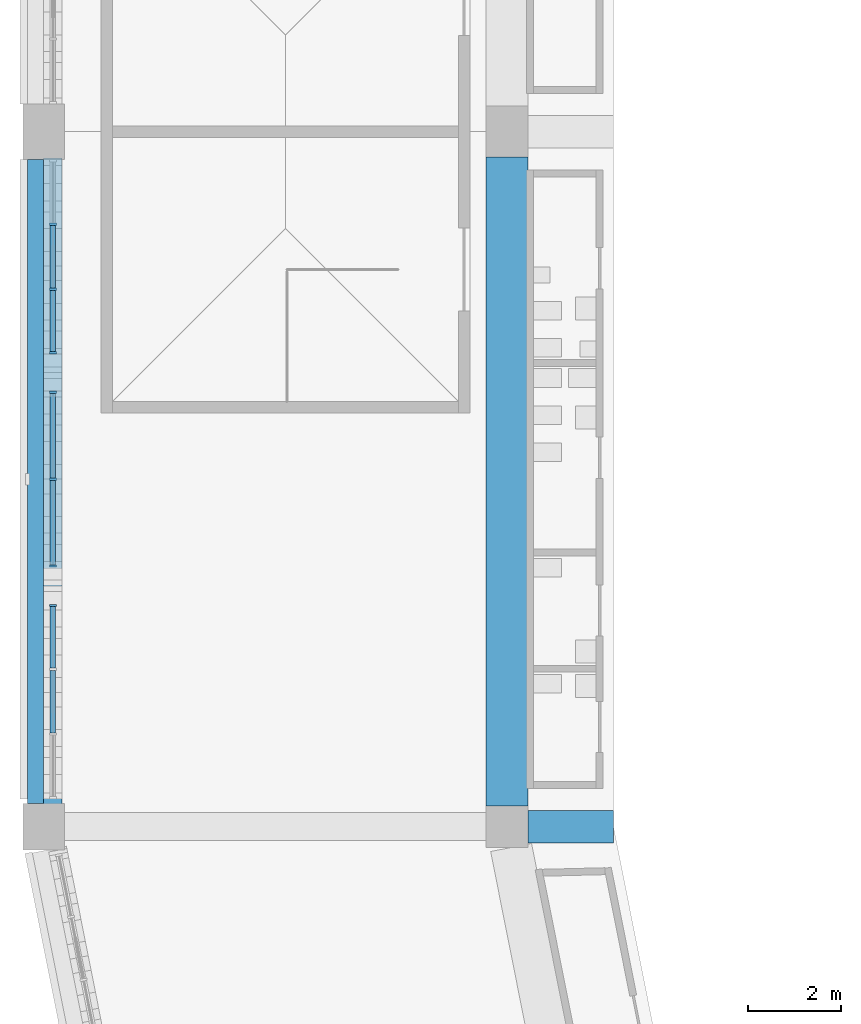
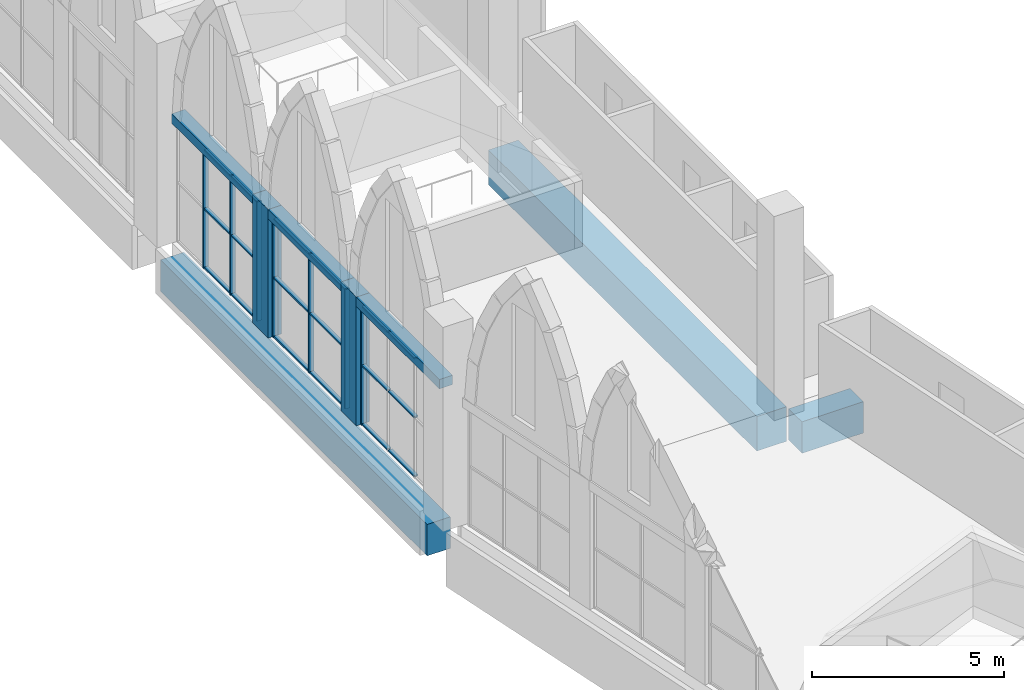
# One storey, part 8 of 130: 27 members, 6 beams, 3 elements without a shape of their own.
"""IFC4 building model written with IfcOpenShell, lengths in metres."""

from ifc_helpers import new_model, si_unit, direction, frame, origin, origin_2d, place, context, subcontext, project, spatial, rectangle, extrude, material, material_profile, profile_set, type_object, element, aggregate, save


model = new_model("IFC4")

# Units and contexts
model_context = context("Model", 3, precision=1e-05, world=origin(), true_north=direction((0.0, 1.0)))
body_context = subcontext(model_context, "Body", "Model", "MODEL_VIEW")
ifc_project = project(units=[si_unit("LENGTHUNIT", "METRE"), si_unit("AREAUNIT", "SQUARE_METRE"), si_unit("VOLUMEUNIT", "CUBIC_METRE"), si_unit("PLANEANGLEUNIT", "RADIAN"), si_unit("MASSUNIT", "GRAM", prefix="KILO")], contexts=[model_context])

# Site, building, storey
site_placement = place(None, origin())
site = spatial("IfcSite", under=ifc_project, at=site_placement, CompositionType="ELEMENT")
building_placement = place(site_placement, origin())
building = spatial("IfcBuilding", under=site, at=building_placement, Name="Ogive Plaza Stadium", CompositionType="ELEMENT")
storey_placement = place(building_placement, frame((0.0, 0.0, 22.5)))
storey = spatial("IfcBuildingStorey", under=building, at=storey_placement, Name="L05", CompositionType="ELEMENT", Elevation=22.5)

# Curtain wall, member
ifc_material_1 = material(Name="Bronze-anodised aluminium with laminated glass", Category="aluminium")
curtain_wall_type = type_object("IfcCurtainWallType", Name="Lancet curtain wall", PredefinedType="NOTDEFINED", material=ifc_material_1)
curtain_wall_1_placement = place(storey_placement, origin())
curtain_wall_1 = element("IfcCurtainWall", 1, at=curtain_wall_1_placement, inside=storey, type_object=curtain_wall_type, Name="CURTAIN WALL B21 L05", PredefinedType="NOTDEFINED")
ifc_material_2 = material(Name="Bronze-anodised aluminium", Category="aluminium")
ifc_material_profile_1 = material_profile(ifc_material_2, rectangle(XDim=0.14990234375, YDim=0.050048828125, at=origin_2d()), Name="AL 150x50")
ifc_profile_set_1 = profile_set([ifc_material_profile_1], Name="Bronze-anodised aluminium")
member_type_1 = type_object("IfcMemberType", Name="Curtain wall mullion 50x150", PredefinedType="MULLION", material=ifc_profile_set_1)
member_1_placement = place(storey_placement, frame((-83.800048828125, -47.72509765625, 0.0), z_axis=(0.0, 0.0, 1.0), x_axis=(-1.0, 0.0, 0.0)))
member_1 = element("IfcMember", 2, at=member_1_placement, type_object=member_type_1, Name="CW-B21-L05.1 mullion 4", PredefinedType="MULLION", context=body_context, shape_type="SweptSolid", body=[
    extrude(rectangle(XDim=0.14990234375, YDim=0.050048828125, at=origin_2d()), origin(), (0.0, 0.0, 1.0), 3.800048828125),
])

# Curtain wall, members
curtain_wall_2_placement = place(storey_placement, origin())
curtain_wall_2 = element("IfcCurtainWall", 3, at=curtain_wall_2_placement, inside=storey, type_object=curtain_wall_type, Name="CURTAIN WALL B21 L05", PredefinedType="NOTDEFINED")
member_2_placement = place(storey_placement, frame((-83.800048828125, -46.875, 0.0), z_axis=(0.0, 0.0, 1.0), x_axis=(-1.0, 0.0, 0.0)))
member_2 = element("IfcMember", 4, at=member_2_placement, type_object=member_type_1, Name="CW-B21-L05.2 mullion 1", PredefinedType="MULLION", context=body_context, shape_type="SweptSolid", body=[
    extrude(rectangle(XDim=0.14990234375, YDim=0.050048828125, at=origin_2d()), origin(), (0.0, 0.0, 1.0), 3.800048828125),
])
member_3_placement = place(storey_placement, frame((-83.800048828125, -45.0, 0.0), z_axis=(0.0, 0.0, 1.0), x_axis=(-1.0, 0.0, 0.0)))
member_3 = element("IfcMember", 5, at=member_3_placement, type_object=member_type_1, Name="CW-B21-L05.2 mullion 2", PredefinedType="MULLION", context=body_context, shape_type="SweptSolid", body=[
    extrude(rectangle(XDim=0.14990234375, YDim=0.050048828125, at=origin_2d()), origin(), (0.0, 0.0, 1.0), 3.800048828125),
])
member_4_placement = place(storey_placement, frame((-83.800048828125, -43.125, 0.0), z_axis=(0.0, 0.0, 1.0), x_axis=(-1.0, 0.0, 0.0)))
member_4 = element("IfcMember", 6, at=member_4_placement, type_object=member_type_1, Name="CW-B21-L05.2 mullion 3", PredefinedType="MULLION", context=body_context, shape_type="SweptSolid", body=[
    extrude(rectangle(XDim=0.14990234375, YDim=0.050048828125, at=origin_2d()), origin(), (0.0, 0.0, 1.0), 3.800048828125),
])

curtain_wall_3_placement = place(storey_placement, origin())
curtain_wall_3 = element("IfcCurtainWall", 7, at=curtain_wall_3_placement, inside=storey, type_object=curtain_wall_type, Name="CURTAIN WALL B21 L05", PredefinedType="NOTDEFINED")
member_5_placement = place(storey_placement, frame((-83.800048828125, -42.27490234375, 0.0), z_axis=(0.0, 0.0, 1.0), x_axis=(-1.0, 0.0, 0.0)))
member_5 = element("IfcMember", 8, at=member_5_placement, type_object=member_type_1, Name="CW-B21-L05.3 mullion 1", PredefinedType="MULLION", context=body_context, shape_type="SweptSolid", body=[
    extrude(rectangle(XDim=0.14990234375, YDim=0.050048828125, at=origin_2d()), origin(), (0.0, 0.0, 1.0), 3.800048828125),
])
member_6_placement = place(storey_placement, frame((-83.800048828125, -40.89990234375, 0.0), z_axis=(0.0, 0.0, 1.0), x_axis=(-1.0, 0.0, 0.0)))
member_6 = element("IfcMember", 9, at=member_6_placement, type_object=member_type_1, Name="CW-B21-L05.3 mullion 2", PredefinedType="MULLION", context=body_context, shape_type="SweptSolid", body=[
    extrude(rectangle(XDim=0.14990234375, YDim=0.050048828125, at=origin_2d()), origin(), (0.0, 0.0, 1.0), 3.800048828125),
])
member_7_placement = place(storey_placement, frame((-83.800048828125, -39.5, 0.0), z_axis=(0.0, 0.0, 1.0), x_axis=(-1.0, 0.0, 0.0)))
member_7 = element("IfcMember", 10, at=member_7_placement, type_object=member_type_1, Name="CW-B21-L05.3 mullion 3", PredefinedType="MULLION", context=body_context, shape_type="SweptSolid", body=[
    extrude(rectangle(XDim=0.14990234375, YDim=0.050048828125, at=origin_2d()), origin(), (0.0, 0.0, 1.0), 3.800048828125),
])

# Member
ifc_material_3 = material(Name="Bronze-anodised aluminium", Category="aluminium")
ifc_material_profile_2 = material_profile(ifc_material_3, rectangle(XDim=0.1201171875, YDim=0.050048828125, at=origin_2d()), Name="AL 120x50")
ifc_profile_set_2 = profile_set([ifc_material_profile_2], Name="Bronze-anodised aluminium")
member_type_2 = type_object("IfcMemberType", Name="Curtain wall transom 50x120", PredefinedType="USERDEFINED", material=ifc_profile_set_2)
member_8_placement = place(storey_placement, frame((-83.800048828125, -50.47509765625, 0.02490234375), z_axis=(0.0, 1.0, 0.0), x_axis=(-1.0, 0.0, 0.0)))
member_8 = element("IfcMember", 11, at=member_8_placement, type_object=member_type_2, Name="CW-B21-L05.1 transom 2.1", ObjectType="TRANSOM", PredefinedType="USERDEFINED", context=body_context, shape_type="SweptSolid", body=[
    extrude(rectangle(XDim=0.1201171875, YDim=0.050048828125, at=origin_2d()), origin(), (0.0, 0.0, 1.0), 1.35009765625),
])

member_9_placement = place(storey_placement, frame((-83.800048828125, -50.47509765625, 1.89990234375), z_axis=(0.0, 1.0, 0.0), x_axis=(-1.0, 0.0, 0.0)))
member_9 = element("IfcMember", 12, at=member_9_placement, type_object=member_type_2, Name="CW-B21-L05.1 transom 2.2", ObjectType="TRANSOM", PredefinedType="USERDEFINED", context=body_context, shape_type="SweptSolid", body=[
    extrude(rectangle(XDim=0.1201171875, YDim=0.050048828125, at=origin_2d()), origin(), (0.0, 0.0, 1.0), 1.35009765625),
])

member_10_placement = place(storey_placement, frame((-83.800048828125, -50.47509765625, 3.77490234375), z_axis=(0.0, 1.0, 0.0), x_axis=(-1.0, 0.0, 0.0)))
member_10 = element("IfcMember", 13, at=member_10_placement, type_object=member_type_2, Name="CW-B21-L05.1 transom 2.3", ObjectType="TRANSOM", PredefinedType="USERDEFINED", context=body_context, shape_type="SweptSolid", body=[
    extrude(rectangle(XDim=0.1201171875, YDim=0.050048828125, at=origin_2d()), origin(), (0.0, 0.0, 1.0), 1.35009765625),
])

member_11_placement = place(storey_placement, frame((-83.800048828125, -49.074951171875, 0.02490234375), z_axis=(0.0, 1.0, 0.0), x_axis=(-1.0, 0.0, 0.0)))
member_11 = element("IfcMember", 14, at=member_11_placement, type_object=member_type_2, Name="CW-B21-L05.1 transom 3.1", ObjectType="TRANSOM", PredefinedType="USERDEFINED", context=body_context, shape_type="SweptSolid", body=[
    extrude(rectangle(XDim=0.1201171875, YDim=0.050048828125, at=origin_2d()), origin(), (0.0, 0.0, 1.0), 1.324951171875),
])

member_12_placement = place(storey_placement, frame((-83.800048828125, -49.074951171875, 1.89990234375), z_axis=(0.0, 1.0, 0.0), x_axis=(-1.0, 0.0, 0.0)))
member_12 = element("IfcMember", 15, at=member_12_placement, type_object=member_type_2, Name="CW-B21-L05.1 transom 3.2", ObjectType="TRANSOM", PredefinedType="USERDEFINED", context=body_context, shape_type="SweptSolid", body=[
    extrude(rectangle(XDim=0.1201171875, YDim=0.050048828125, at=origin_2d()), origin(), (0.0, 0.0, 1.0), 1.324951171875),
])

member_13_placement = place(storey_placement, frame((-83.800048828125, -49.074951171875, 3.77490234375), z_axis=(0.0, 1.0, 0.0), x_axis=(-1.0, 0.0, 0.0)))
member_13 = element("IfcMember", 16, at=member_13_placement, type_object=member_type_2, Name="CW-B21-L05.1 transom 3.3", ObjectType="TRANSOM", PredefinedType="USERDEFINED", context=body_context, shape_type="SweptSolid", body=[
    extrude(rectangle(XDim=0.1201171875, YDim=0.050048828125, at=origin_2d()), origin(), (0.0, 0.0, 1.0), 1.324951171875),
])

aggregate(curtain_wall_1, [member_1, member_8, member_9, member_10, member_11, member_12, member_13])

member_14_placement = place(storey_placement, frame((-83.800048828125, -46.85009765625, 0.02490234375), z_axis=(0.0, 1.0, 0.0), x_axis=(-1.0, 0.0, 0.0)))
member_14 = element("IfcMember", 17, at=member_14_placement, type_object=member_type_2, Name="CW-B21-L05.2 transom 1.1", ObjectType="TRANSOM", PredefinedType="USERDEFINED", context=body_context, shape_type="SweptSolid", body=[
    extrude(rectangle(XDim=0.1201171875, YDim=0.050048828125, at=origin_2d()), origin(), (0.0, 0.0, 1.0), 1.8251953125),
])

member_15_placement = place(storey_placement, frame((-83.800048828125, -46.85009765625, 1.89990234375), z_axis=(0.0, 1.0, 0.0), x_axis=(-1.0, 0.0, 0.0)))
member_15 = element("IfcMember", 18, at=member_15_placement, type_object=member_type_2, Name="CW-B21-L05.2 transom 1.2", ObjectType="TRANSOM", PredefinedType="USERDEFINED", context=body_context, shape_type="SweptSolid", body=[
    extrude(rectangle(XDim=0.1201171875, YDim=0.050048828125, at=origin_2d()), origin(), (0.0, 0.0, 1.0), 1.8251953125),
])

member_16_placement = place(storey_placement, frame((-83.800048828125, -46.85009765625, 3.77490234375), z_axis=(0.0, 1.0, 0.0), x_axis=(-1.0, 0.0, 0.0)))
member_16 = element("IfcMember", 19, at=member_16_placement, type_object=member_type_2, Name="CW-B21-L05.2 transom 1.3", ObjectType="TRANSOM", PredefinedType="USERDEFINED", context=body_context, shape_type="SweptSolid", body=[
    extrude(rectangle(XDim=0.1201171875, YDim=0.050048828125, at=origin_2d()), origin(), (0.0, 0.0, 1.0), 1.8251953125),
])

member_17_placement = place(storey_placement, frame((-83.800048828125, -44.97509765625, 0.02490234375), z_axis=(0.0, 1.0, 0.0), x_axis=(-1.0, 0.0, 0.0)))
member_17 = element("IfcMember", 20, at=member_17_placement, type_object=member_type_2, Name="CW-B21-L05.2 transom 2.1", ObjectType="TRANSOM", PredefinedType="USERDEFINED", context=body_context, shape_type="SweptSolid", body=[
    extrude(rectangle(XDim=0.1201171875, YDim=0.050048828125, at=origin_2d()), origin(), (0.0, 0.0, 1.0), 1.8251953125),
])

member_18_placement = place(storey_placement, frame((-83.800048828125, -44.97509765625, 1.89990234375), z_axis=(0.0, 1.0, 0.0), x_axis=(-1.0, 0.0, 0.0)))
member_18 = element("IfcMember", 21, at=member_18_placement, type_object=member_type_2, Name="CW-B21-L05.2 transom 2.2", ObjectType="TRANSOM", PredefinedType="USERDEFINED", context=body_context, shape_type="SweptSolid", body=[
    extrude(rectangle(XDim=0.1201171875, YDim=0.050048828125, at=origin_2d()), origin(), (0.0, 0.0, 1.0), 1.8251953125),
])

member_19_placement = place(storey_placement, frame((-83.800048828125, -44.97509765625, 3.77490234375), z_axis=(0.0, 1.0, 0.0), x_axis=(-1.0, 0.0, 0.0)))
member_19 = element("IfcMember", 22, at=member_19_placement, type_object=member_type_2, Name="CW-B21-L05.2 transom 2.3", ObjectType="TRANSOM", PredefinedType="USERDEFINED", context=body_context, shape_type="SweptSolid", body=[
    extrude(rectangle(XDim=0.1201171875, YDim=0.050048828125, at=origin_2d()), origin(), (0.0, 0.0, 1.0), 1.8251953125),
])

aggregate(curtain_wall_2, [member_2, member_3, member_4, member_14, member_15, member_16, member_17, member_18, member_19])

member_20_placement = place(storey_placement, frame((-83.800048828125, -42.25, 0.02490234375), z_axis=(0.0, 1.0, 0.0), x_axis=(-1.0, 0.0, 0.0)))
member_20 = element("IfcMember", 23, at=member_20_placement, type_object=member_type_2, Name="CW-B21-L05.3 transom 1.1", ObjectType="TRANSOM", PredefinedType="USERDEFINED", context=body_context, shape_type="SweptSolid", body=[
    extrude(rectangle(XDim=0.1201171875, YDim=0.050048828125, at=origin_2d()), origin(), (0.0, 0.0, 1.0), 1.324951171875),
])

member_21_placement = place(storey_placement, frame((-83.800048828125, -42.25, 1.89990234375), z_axis=(0.0, 1.0, 0.0), x_axis=(-1.0, 0.0, 0.0)))
member_21 = element("IfcMember", 24, at=member_21_placement, type_object=member_type_2, Name="CW-B21-L05.3 transom 1.2", ObjectType="TRANSOM", PredefinedType="USERDEFINED", context=body_context, shape_type="SweptSolid", body=[
    extrude(rectangle(XDim=0.1201171875, YDim=0.050048828125, at=origin_2d()), origin(), (0.0, 0.0, 1.0), 1.324951171875),
])

member_22_placement = place(storey_placement, frame((-83.800048828125, -42.25, 3.77490234375), z_axis=(0.0, 1.0, 0.0), x_axis=(-1.0, 0.0, 0.0)))
member_22 = element("IfcMember", 25, at=member_22_placement, type_object=member_type_2, Name="CW-B21-L05.3 transom 1.3", ObjectType="TRANSOM", PredefinedType="USERDEFINED", context=body_context, shape_type="SweptSolid", body=[
    extrude(rectangle(XDim=0.1201171875, YDim=0.050048828125, at=origin_2d()), origin(), (0.0, 0.0, 1.0), 1.324951171875),
])

member_23_placement = place(storey_placement, frame((-83.800048828125, -40.875, 0.02490234375), z_axis=(0.0, 1.0, 0.0), x_axis=(-1.0, 0.0, 0.0)))
member_23 = element("IfcMember", 26, at=member_23_placement, type_object=member_type_2, Name="CW-B21-L05.3 transom 2.1", ObjectType="TRANSOM", PredefinedType="USERDEFINED", context=body_context, shape_type="SweptSolid", body=[
    extrude(rectangle(XDim=0.1201171875, YDim=0.050048828125, at=origin_2d()), origin(), (0.0, 0.0, 1.0), 1.35009765625),
])

member_24_placement = place(storey_placement, frame((-83.800048828125, -40.875, 1.89990234375), z_axis=(0.0, 1.0, 0.0), x_axis=(-1.0, 0.0, 0.0)))
member_24 = element("IfcMember", 27, at=member_24_placement, type_object=member_type_2, Name="CW-B21-L05.3 transom 2.2", ObjectType="TRANSOM", PredefinedType="USERDEFINED", context=body_context, shape_type="SweptSolid", body=[
    extrude(rectangle(XDim=0.1201171875, YDim=0.050048828125, at=origin_2d()), origin(), (0.0, 0.0, 1.0), 1.35009765625),
])

member_25_placement = place(storey_placement, frame((-83.800048828125, -40.875, 3.77490234375), z_axis=(0.0, 1.0, 0.0), x_axis=(-1.0, 0.0, 0.0)))
member_25 = element("IfcMember", 28, at=member_25_placement, type_object=member_type_2, Name="CW-B21-L05.3 transom 2.3", ObjectType="TRANSOM", PredefinedType="USERDEFINED", context=body_context, shape_type="SweptSolid", body=[
    extrude(rectangle(XDim=0.1201171875, YDim=0.050048828125, at=origin_2d()), origin(), (0.0, 0.0, 1.0), 1.35009765625),
])

aggregate(curtain_wall_3, [member_5, member_6, member_7, member_20, member_21, member_22, member_23, member_24, member_25])

# Members
ifc_material_4 = material(Name="Concrete C45/55 precast", Category="concrete")
ifc_material_profile_3 = material_profile(ifc_material_4, rectangle(XDim=0.39990234375, YDim=0.800048828125, at=origin_2d()), Name="RC 400x800")
ifc_profile_set_3 = profile_set([ifc_material_profile_3], Name="Concrete C45/55 precast")
member_type_3 = type_object("IfcMemberType", Name="Precast colonette 800x400", PredefinedType="POST", material=ifc_profile_set_3)
for number, where, z_axis, x_axis, name in (
    (29, (-83.800048828125, -47.300048828125, 0.0), (0.0, 0.0, 1.0), (-1.0, 0.0, 0.0), "COLONETTE B21 1"),
    (30, (-83.800048828125, -42.699951171875, 0.0), (0.0, 0.0, 1.0), (-1.0, 0.0, 0.0), "COLONETTE B21 2"),
):
    element("IfcMember", number, at=place(storey_placement, frame(where, z_axis=z_axis, x_axis=x_axis)), inside=storey, type_object=member_type_3, Name=name, PredefinedType="POST", context=body_context, shape_type="SweptSolid", body=[
        extrude(rectangle(XDim=0.39990234375, YDim=0.800048828125, at=origin_2d()), origin(), (0.0, 0.0, 1.0), 4.10009765625),
    ])

# Beams
ifc_material_5 = material(Name="Concrete C45/55 precast", Category="concrete")
ifc_material_profile_4 = material_profile(ifc_material_5, rectangle(XDim=0.39990234375, YDim=0.300048828125, at=origin_2d()), Name="RC 400x300")
ifc_profile_set_4 = profile_set([ifc_material_profile_4], Name="Concrete C45/55 precast")
beam_type_1 = type_object("IfcBeamType", Name="Precast tympanum lintel 400x300", PredefinedType="BEAM", material=ifc_profile_set_4)
beam_1_placement = place(storey_placement, frame((-83.800048828125, -52.030029296875, 3.949951171875), z_axis=(0.0, 1.0, 0.0), x_axis=(-1.0, 0.0, 0.0)))
element("IfcBeam", 31, at=beam_1_placement, inside=storey, type_object=beam_type_1, Name="TYMPANUM LINTEL B21 1", PredefinedType="BEAM", context=body_context, shape_type="SweptSolid", body=[
    extrude(rectangle(XDim=0.39990234375, YDim=0.300048828125, at=origin_2d()), origin(), (0.0, 0.0, 1.0), 4.360107421875),
])
beam_2_placement = place(storey_placement, frame((-83.800048828125, -46.929931640625, 3.949951171875), z_axis=(0.0, 1.0, 0.0), x_axis=(-1.0, 0.0, 0.0)))
element("IfcBeam", 32, at=beam_2_placement, inside=storey, type_object=beam_type_1, Name="TYMPANUM LINTEL B21 2", PredefinedType="BEAM", context=body_context, shape_type="SweptSolid", body=[
    extrude(rectangle(XDim=0.39990234375, YDim=0.300048828125, at=origin_2d()), origin(), (0.0, 0.0, 1.0), 3.85986328125),
])
beam_3_placement = place(storey_placement, frame((-83.800048828125, -42.330078125, 3.949951171875), z_axis=(0.0, 1.0, 0.0), x_axis=(-1.0, 0.0, 0.0)))
element("IfcBeam", 33, at=beam_3_placement, inside=storey, type_object=beam_type_1, Name="TYMPANUM LINTEL B21 3", PredefinedType="BEAM", context=body_context, shape_type="SweptSolid", body=[
    extrude(rectangle(XDim=0.39990234375, YDim=0.300048828125, at=origin_2d()), origin(), (0.0, 0.0, 1.0), 4.260009765625),
])
ifc_material_6 = material(Name="Concrete C40/50", Category="concrete")
ifc_material_profile_5 = material_profile(ifc_material_6, rectangle(XDim=0.699951171875, YDim=1.0, at=origin_2d()), Name="RC 700x1000")
ifc_profile_set_5 = profile_set([ifc_material_profile_5], Name="Concrete C40/50")
beam_type_2 = type_object("IfcBeamType", Name="RC radial beam 700x1000", PredefinedType="BEAM", material=ifc_profile_set_5)
beam_4_placement = place(storey_placement, frame((-71.699951171875, -52.5, -0.909912109375), z_axis=(-1.0, 0.0, 0.0), x_axis=(0.0, -1.0, 0.0)))
element("IfcBeam", 34, at=beam_4_placement, inside=storey, type_object=beam_type_2, Name="Raker tail beam UT R21", PredefinedType="BEAM", context=body_context, shape_type="SweptSolid", body=[
    extrude(rectangle(XDim=0.699951171875, YDim=1.0, at=origin_2d()), origin(), (0.0, 0.0, 1.0), 1.85009765625),
])
ifc_material_7 = material(Name="Concrete C40/50", Category="concrete")
ifc_material_profile_6 = material_profile(ifc_material_7, rectangle(XDim=0.89990234375, YDim=1.10009765625, at=origin_2d()), Name="RC 900x1100")
ifc_profile_set_6 = profile_set([ifc_material_profile_6], Name="Concrete C40/50")
beam_type_3 = type_object("IfcBeamType", Name="RC ring beam 900x1100", PredefinedType="BEAM", material=ifc_profile_set_6)
beam_5_placement = place(storey_placement, frame((-74.0, -52.050048828125, -0.9599609375), z_axis=(0.0, 1.0, 0.0), x_axis=(-1.0, 0.0, 0.0)))
element("IfcBeam", 35, at=beam_5_placement, inside=storey, type_object=beam_type_3, Name="Ring beam F4 L05 B21", PredefinedType="BEAM", context=body_context, shape_type="SweptSolid", body=[
    extrude(rectangle(XDim=0.89990234375, YDim=1.10009765625, at=origin_2d()), origin(), (0.0, 0.0, 1.0), 14.0),
])
ifc_material_8 = material(Name="Concrete C40/50", Category="concrete")
ifc_material_profile_7 = material_profile(ifc_material_8, rectangle(XDim=0.699951171875, YDim=1.0, at=origin_2d()), Name="RC 700x1000")
ifc_profile_set_7 = profile_set([ifc_material_profile_7], Name="Concrete C40/50")
beam_type_4 = type_object("IfcBeamType", Name="RC spandrel beam 700x1000", PredefinedType="SPANDREL", material=ifc_profile_set_7)
beam_6_placement = place(storey_placement, frame((-84.0, -52.0, -0.909912109375), z_axis=(0.0, 1.0, 0.0), x_axis=(-1.0, 0.0, 0.0)))
element("IfcBeam", 36, at=beam_6_placement, inside=storey, type_object=beam_type_4, Name="Ring beam F5 L05 B21", PredefinedType="SPANDREL", context=body_context, shape_type="SweptSolid", body=[
    extrude(rectangle(XDim=0.699951171875, YDim=1.0, at=origin_2d()), origin(), (0.0, 0.0, 1.0), 13.89990234375),
])

save(model, "model.ifc")
